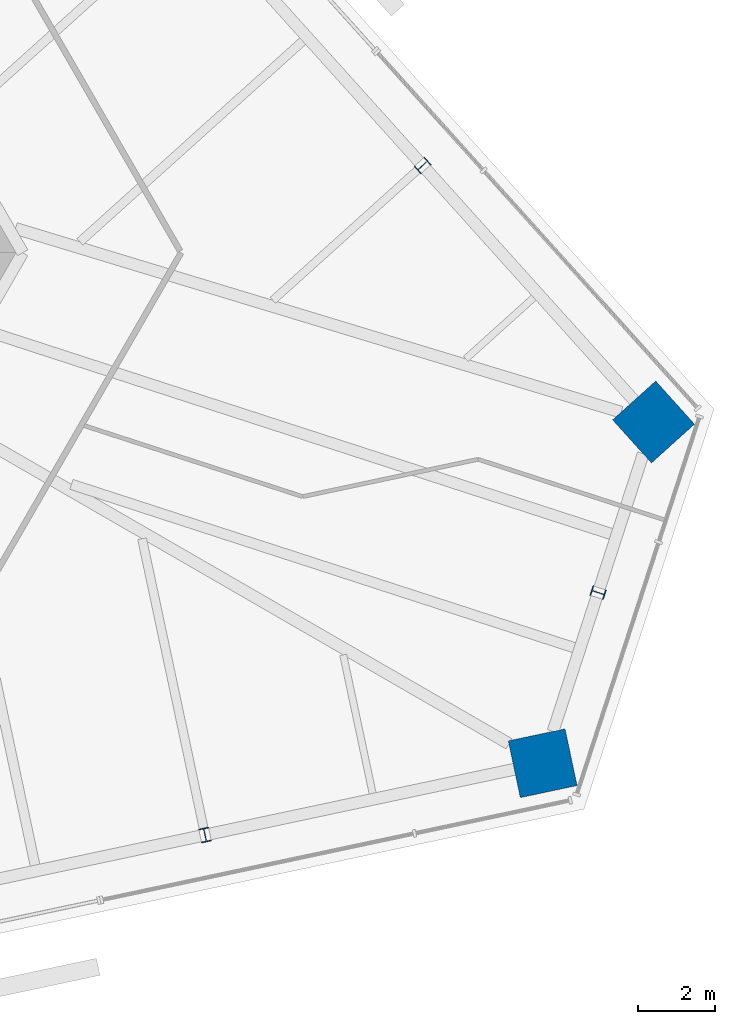
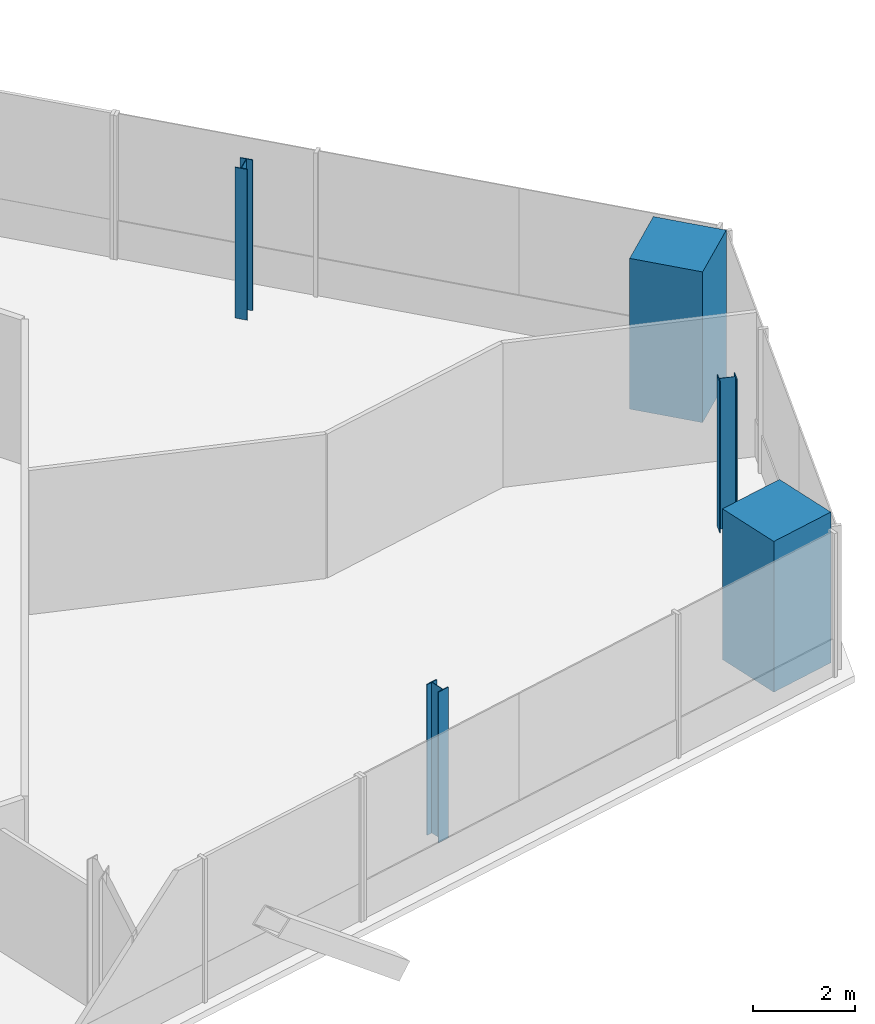
# One storey, part 2 of 15: 5 columns.
"""IFC4 building model written with IfcOpenShell, lengths in metres."""

from ifc_helpers import new_model, si_unit, direction, frame, origin, origin_2d, place, context, subcontext, project, spatial, rectangle, i_section, extrude, source, transform, mapped, material, material_profile, profile_set, type_object, element, save


model = new_model("IFC4")

# Units and contexts
model_context = context("Model", 3, precision=1e-05, world=origin(), true_north=direction((0.0, 1.0)))
body_context = subcontext(model_context, "Body", "Model", "MODEL_VIEW")
ifc_project = project(units=[si_unit("LENGTHUNIT", "METRE"), si_unit("AREAUNIT", "SQUARE_METRE"), si_unit("VOLUMEUNIT", "CUBIC_METRE"), si_unit("PLANEANGLEUNIT", "RADIAN"), si_unit("MASSUNIT", "GRAM", prefix="KILO")], contexts=[model_context])

# Site, building, storey
site_placement = place(None, origin())
site = spatial("IfcSite", under=ifc_project, at=site_placement, CompositionType="ELEMENT")
building_placement = place(site_placement, origin())
building = spatial("IfcBuilding", under=site, at=building_placement, Name="Triune Harvest Tower", CompositionType="ELEMENT")
storey_placement = place(building_placement, frame((0.0, 0.0, 270.300048828125)))
storey = spatial("IfcBuildingStorey", under=building, at=storey_placement, Name="L71", CompositionType="ELEMENT", Elevation=270.300048828125)

# Columns
ifc_material_1 = material(Name="Concrete 70 MPa", Category="concrete")
ifc_material_profile_1 = material_profile(ifc_material_1, rectangle(XDim=1.5, YDim=1.5, at=origin_2d()), Name="Composite 1500x1500")
ifc_profile_set_1 = profile_set([ifc_material_profile_1], Name="Concrete 70 MPa")
column_type_1 = type_object("IfcColumnType", Name="MC-7 Mega column Composite 1500x1500", PredefinedType="COLUMN", material=ifc_profile_set_1)
shared_shape_1 = source(origin(), body_context, "Body", "SweptSolid", [
    extrude(rectangle(XDim=1.5, YDim=1.5, at=origin_2d()), origin(), (0.0, 0.0, 1.0), 3.599853515625),
])
for number, where, z_axis, x_axis, name in (
    (1, (28.4931640625, -4.379150390625, 0.0), (0.0, 0.0, 1.0), (-0.669130606359, 0.743144825477, 0.0), "col/L71/M0"),
    (2, (25.62548828125, -13.205078125, 0.0), (0.0, 0.0, 1.0), (0.978147237858, 0.207913398007, 0.0), "col/L71/M19"),
):
    element("IfcColumn", number, at=place(storey_placement, frame(where, z_axis=z_axis, x_axis=x_axis)), inside=storey, type_object=column_type_1, Name=name, PredefinedType="COLUMN", context=body_context, shape_type="MappedRepresentation", body=[
        mapped(shared_shape_1, transform((0.0, 0.0, 0.0), scale=1.0)),
    ])
ifc_material_2 = material(Name="Steel ASTM A992 Gr 50", Category="steel")
ifc_material_profile_2 = material_profile(ifc_material_2, i_section(OverallWidth=0.256591796875, OverallDepth=0.360595703125, WebThickness=0.011474609375, FlangeThickness=0.02001953125, at=origin_2d()), Name="W14x74")
ifc_profile_set_2 = profile_set([ifc_material_profile_2], Name="Steel ASTM A992 Gr 50")
column_type_2 = type_object("IfcColumnType", Name="PC-7 Perimeter column W14x74", PredefinedType="COLUMN", material=ifc_profile_set_2)
shared_shape_2 = source(origin(), body_context, "Body", "SweptSolid", [
    extrude(i_section(OverallWidth=0.256591796875, OverallDepth=0.360595703125, WebThickness=0.011474609375, FlangeThickness=0.02001953125, at=origin_2d()), origin(), (0.0, 0.0, 1.0), 3.599853515625),
])
for number, where, z_axis, x_axis, name in (
    (3, (22.519287109375, 2.255615234375, 0.0), (0.0, 0.0, 1.0), (-0.669130606359, 0.743144825477, 0.0), "col/L71/P1"),
    (4, (16.892578125, -15.061279296875, 0.0), (0.0, 0.0, 1.0), (0.978147237858, 0.207913398007, 0.0), "col/L71/P18"),
    (5, (27.059326171875, -8.7919921875, 0.0), (0.0, 0.0, 1.0), (0.309016994375, 0.951056516295, 0.0), "col/L71/P20"),
):
    element("IfcColumn", number, at=place(storey_placement, frame(where, z_axis=z_axis, x_axis=x_axis)), inside=storey, type_object=column_type_2, Name=name, PredefinedType="COLUMN", context=body_context, shape_type="MappedRepresentation", body=[
        mapped(shared_shape_2, transform((0.0, 0.0, 0.0), scale=1.0)),
    ])

save(model, "model.ifc")
